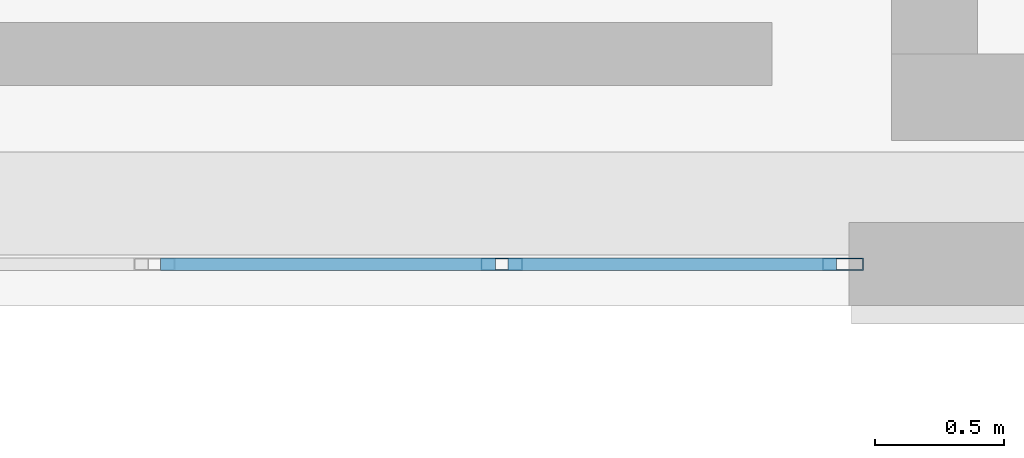
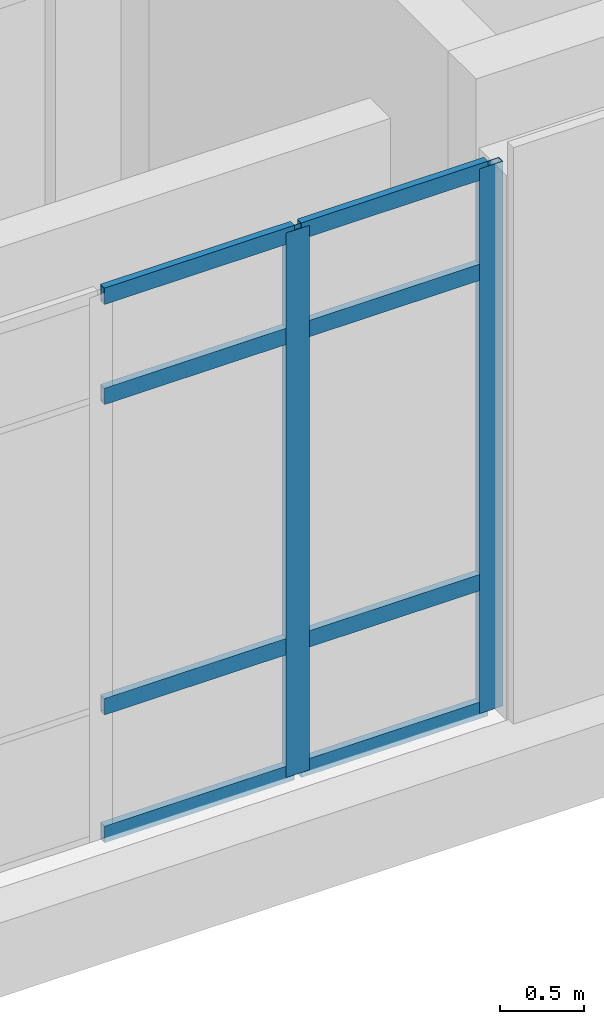
# One storey, part 3 of 19: 10 members, 1 element without a shape of its own.
"""IFC4 building model written with IfcOpenShell, lengths in metres."""

from ifc_helpers import new_model, si_unit, direction, frame, origin, origin_2d, place, context, subcontext, project, spatial, hollow_rectangle, extrude, material, layer, layer_set, material_profile, profile_set, type_object, element, aggregate, save


model = new_model("IFC4")

# Units and contexts
model_context = context("Model", 3, precision=1e-05, world=origin(), true_north=direction((0.0, 1.0)))
body_context = subcontext(model_context, "Body", "Model", "MODEL_VIEW")
ifc_project = project(units=[si_unit("LENGTHUNIT", "METRE"), si_unit("AREAUNIT", "SQUARE_METRE"), si_unit("VOLUMEUNIT", "CUBIC_METRE"), si_unit("PLANEANGLEUNIT", "RADIAN"), si_unit("MASSUNIT", "GRAM", prefix="KILO")], contexts=[model_context])

# Site, building, storey
site_placement = place(None, origin())
site = spatial("IfcSite", under=ifc_project, at=site_placement, CompositionType="ELEMENT")
building_placement = place(site_placement, origin())
building = spatial("IfcBuilding", under=site, at=building_placement, Name="Qalavern Law Courts", CompositionType="ELEMENT")
storey_placement = place(building_placement, frame((0.0, 0.0, 39.60009765625)))
storey = spatial("IfcBuildingStorey", under=building, at=storey_placement, Name="L09", CompositionType="ELEMENT", Elevation=39.60009765625)

# Curtain wall, members
ifc_material_1 = material(Name="Anodised aluminium and insulated glazing", Category="aluminium")
ifc_layer = layer(ifc_material_1, 0.159912109375)
ifc_layer_set = layer_set([ifc_layer], Name="Anodised aluminium and insulated glazing")
curtain_wall_type = type_object("IfcCurtainWallType", Name="ENV-CW-CHAMB", PredefinedType="USERDEFINED", material=ifc_layer_set)
curtain_wall_placement = place(storey_placement, origin())
curtain_wall = element("IfcCurtainWall", 1, at=curtain_wall_placement, inside=storey, type_object=curtain_wall_type, Name="V4 unitised curtain wall L09 south 2", ObjectType="UNITISED CURTAIN WALL", PredefinedType="USERDEFINED")
ifc_material_2 = material(Name="Anodised aluminium", Category="aluminium")
ifc_material_profile_1 = material_profile(ifc_material_2, hollow_rectangle(XDim=0.048095703125, YDim=0.159912109375, WallThickness=0.00390625, at=origin_2d()), Name="ALU MULLION 48x160")
ifc_profile_set_1 = profile_set([ifc_material_profile_1], Name="Anodised aluminium")
member_type_1 = type_object("IfcMemberType", Name="ENV-CWM-48x160", PredefinedType="MULLION", material=ifc_profile_set_1)
member_1_placement = place(storey_placement, frame((96.35009765625, 41.1826171875, 0.0), z_axis=(0.0, 0.0, 1.0), x_axis=(0.0, 1.0, 0.0)))
member_1 = element("IfcMember", 2, at=member_1_placement, type_object=member_type_1, Name="CW-04 mullion 4", PredefinedType="MULLION", context=body_context, shape_type="SweptSolid", body=[
    extrude(hollow_rectangle(XDim=0.048095703125, YDim=0.159912109375, WallThickness=0.00390625, at=origin_2d()), origin(), (0.0, 0.0, 1.0), 3.949951171875),
])
member_2_placement = place(storey_placement, frame((97.676025390625, 41.1826171875, 0.0), z_axis=(0.0, 0.0, 1.0), x_axis=(0.0, 1.0, 0.0)))
member_2 = element("IfcMember", 3, at=member_2_placement, type_object=member_type_1, Name="CW-04 mullion 5", PredefinedType="MULLION", context=body_context, shape_type="SweptSolid", body=[
    extrude(hollow_rectangle(XDim=0.048095703125, YDim=0.159912109375, WallThickness=0.00390625, at=origin_2d()), origin(), (0.0, 0.0, 1.0), 3.949951171875),
])
ifc_material_profile_2 = material_profile(ifc_material_2, hollow_rectangle(XDim=0.048095703125, YDim=0.1201171875, WallThickness=0.00390625, at=origin_2d()), Name="ALU TRANSOM 48x120")
ifc_profile_set_2 = profile_set([ifc_material_profile_2], Name="Anodised aluminium")
member_type_2 = type_object("IfcMemberType", Name="ENV-CWT-48x120", PredefinedType="USERDEFINED", material=ifc_profile_set_2)
member_3_placement = place(storey_placement, frame((95.02392578125, 41.1826171875, 0.02392578125), z_axis=(1.0, 0.0, 0.0), x_axis=(0.0, 1.0, 0.0)))
member_3 = element("IfcMember", 4, at=member_3_placement, type_object=member_type_2, Name="CW-04 transom 3.1", ObjectType="TRANSOM", PredefinedType="USERDEFINED", context=body_context, shape_type="SweptSolid", body=[
    extrude(hollow_rectangle(XDim=0.048095703125, YDim=0.1201171875, WallThickness=0.00390625, at=origin_2d()), origin(), (0.0, 0.0, 1.0), 1.302001953125),
])
member_4_placement = place(storey_placement, frame((95.02392578125, 41.1826171875, 0.949951171875), z_axis=(1.0, 0.0, 0.0), x_axis=(0.0, 1.0, 0.0)))
member_4 = element("IfcMember", 5, at=member_4_placement, type_object=member_type_2, Name="CW-04 transom 3.2", ObjectType="TRANSOM", PredefinedType="USERDEFINED", context=body_context, shape_type="SweptSolid", body=[
    extrude(hollow_rectangle(XDim=0.048095703125, YDim=0.1201171875, WallThickness=0.00390625, at=origin_2d()), origin(), (0.0, 0.0, 1.0), 1.302001953125),
])
member_5_placement = place(storey_placement, frame((95.02392578125, 41.1826171875, 3.199951171875), z_axis=(1.0, 0.0, 0.0), x_axis=(0.0, 1.0, 0.0)))
member_5 = element("IfcMember", 6, at=member_5_placement, type_object=member_type_2, Name="CW-04 transom 3.3", ObjectType="TRANSOM", PredefinedType="USERDEFINED", context=body_context, shape_type="SweptSolid", body=[
    extrude(hollow_rectangle(XDim=0.048095703125, YDim=0.1201171875, WallThickness=0.00390625, at=origin_2d()), origin(), (0.0, 0.0, 1.0), 1.302001953125),
])
member_6_placement = place(storey_placement, frame((95.02392578125, 41.1826171875, 3.92578125), z_axis=(1.0, 0.0, 0.0), x_axis=(0.0, 1.0, 0.0)))
member_6 = element("IfcMember", 7, at=member_6_placement, type_object=member_type_2, Name="CW-04 transom 3.4", ObjectType="TRANSOM", PredefinedType="USERDEFINED", context=body_context, shape_type="SweptSolid", body=[
    extrude(hollow_rectangle(XDim=0.048095703125, YDim=0.1201171875, WallThickness=0.00390625, at=origin_2d()), origin(), (0.0, 0.0, 1.0), 1.302001953125),
])
member_7_placement = place(storey_placement, frame((96.3740234375, 41.1826171875, 0.02392578125), z_axis=(1.0, 0.0, 0.0), x_axis=(0.0, 1.0, 0.0)))
member_7 = element("IfcMember", 8, at=member_7_placement, type_object=member_type_2, Name="CW-04 transom 4.1", ObjectType="TRANSOM", PredefinedType="USERDEFINED", context=body_context, shape_type="SweptSolid", body=[
    extrude(hollow_rectangle(XDim=0.048095703125, YDim=0.1201171875, WallThickness=0.00390625, at=origin_2d()), origin(), (0.0, 0.0, 1.0), 1.278076171875),
])
member_8_placement = place(storey_placement, frame((96.3740234375, 41.1826171875, 0.949951171875), z_axis=(1.0, 0.0, 0.0), x_axis=(0.0, 1.0, 0.0)))
member_8 = element("IfcMember", 9, at=member_8_placement, type_object=member_type_2, Name="CW-04 transom 4.2", ObjectType="TRANSOM", PredefinedType="USERDEFINED", context=body_context, shape_type="SweptSolid", body=[
    extrude(hollow_rectangle(XDim=0.048095703125, YDim=0.1201171875, WallThickness=0.00390625, at=origin_2d()), origin(), (0.0, 0.0, 1.0), 1.278076171875),
])
member_9_placement = place(storey_placement, frame((96.3740234375, 41.1826171875, 3.199951171875), z_axis=(1.0, 0.0, 0.0), x_axis=(0.0, 1.0, 0.0)))
member_9 = element("IfcMember", 10, at=member_9_placement, type_object=member_type_2, Name="CW-04 transom 4.3", ObjectType="TRANSOM", PredefinedType="USERDEFINED", context=body_context, shape_type="SweptSolid", body=[
    extrude(hollow_rectangle(XDim=0.048095703125, YDim=0.1201171875, WallThickness=0.00390625, at=origin_2d()), origin(), (0.0, 0.0, 1.0), 1.278076171875),
])
member_10_placement = place(storey_placement, frame((96.3740234375, 41.1826171875, 3.92578125), z_axis=(1.0, 0.0, 0.0), x_axis=(0.0, 1.0, 0.0)))
member_10 = element("IfcMember", 11, at=member_10_placement, type_object=member_type_2, Name="CW-04 transom 4.4", ObjectType="TRANSOM", PredefinedType="USERDEFINED", context=body_context, shape_type="SweptSolid", body=[
    extrude(hollow_rectangle(XDim=0.048095703125, YDim=0.1201171875, WallThickness=0.00390625, at=origin_2d()), origin(), (0.0, 0.0, 1.0), 1.278076171875),
])
aggregate(curtain_wall, [member_1, member_2, member_3, member_4, member_5, member_6, member_7, member_8, member_9, member_10])

save(model, "model.ifc")
